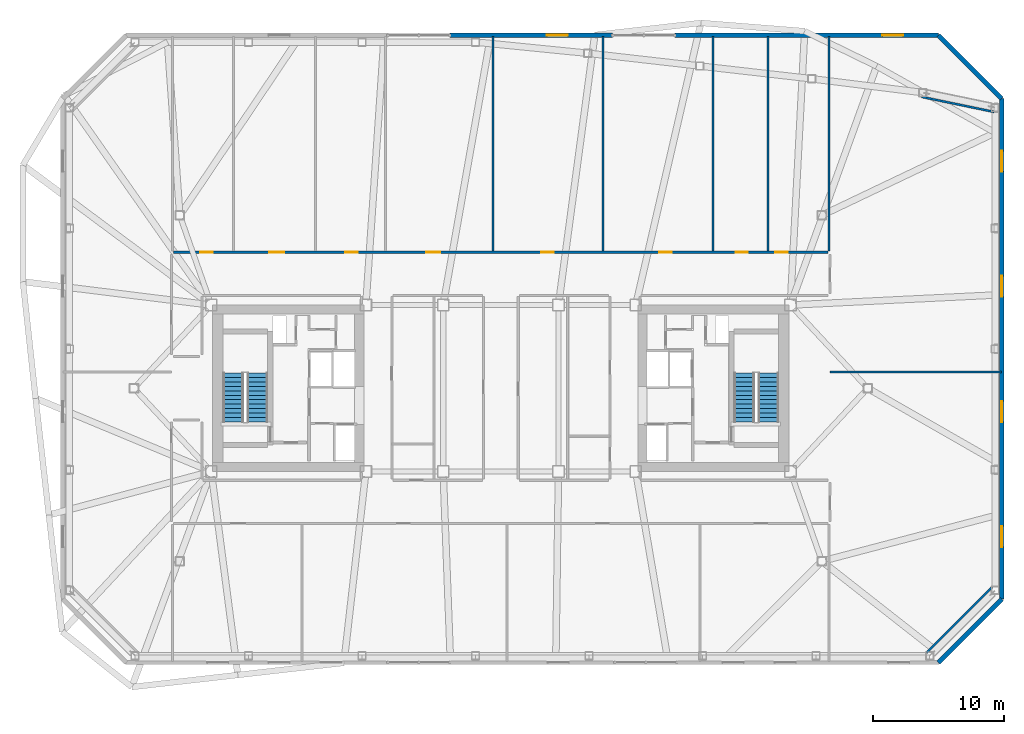
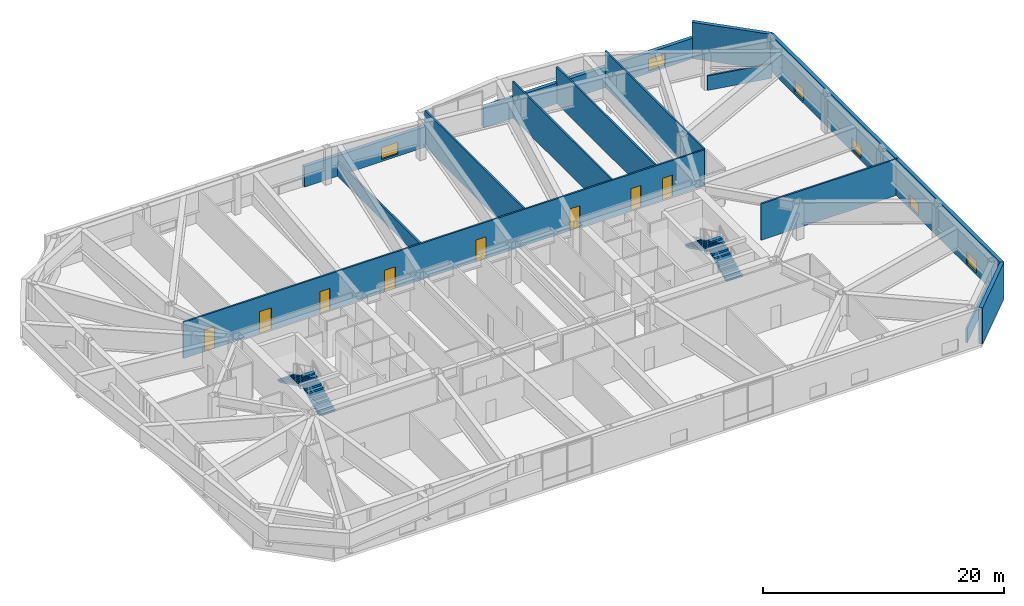
# One storey, part 15 of 19: 14 walls, 8 doors, 6 windows, 4 stair flights, 14 openings, 2 elements without a shape of their own.
"""IFC4 building model written with IfcOpenShell, lengths in metres."""

from ifc_helpers import new_model, si_unit, direction, frame, frame_2d, origin, place, context, subcontext, project, spatial, polyline, rectangle, outline, extrude, material, layer, layer_set, type_object, element, fill, aggregate, save


model = new_model("IFC4")

# Units and contexts
model_context = context("Model", 3, precision=1e-05, world=origin(), true_north=direction((0.0, 1.0)))
body_context = subcontext(model_context, "Body", "Model", "MODEL_VIEW")
ifc_project = project(units=[si_unit("LENGTHUNIT", "METRE"), si_unit("AREAUNIT", "SQUARE_METRE"), si_unit("VOLUMEUNIT", "CUBIC_METRE"), si_unit("PLANEANGLEUNIT", "RADIAN"), si_unit("MASSUNIT", "GRAM", prefix="KILO")], contexts=[model_context])

# Site, building, storey
site_placement = place(None, origin())
site = spatial("IfcSite", under=ifc_project, at=site_placement, CompositionType="ELEMENT")
building_placement = place(site_placement, origin())
building = spatial("IfcBuilding", under=site, at=building_placement, Name="Tavrogorsk Clinical Tower", CompositionType="ELEMENT")
storey_placement = place(building_placement, frame((0.0, 0.0, 204.199951171875)))
storey = spatial("IfcBuildingStorey", under=building, at=storey_placement, Name="L47", CompositionType="ELEMENT", Elevation=204.199951171875)

# Walls
ifc_material_1 = material(Name="Lightweight concrete blockwork B15", Category="masonry")
ifc_layer_1 = layer(ifc_material_1, 0.159912109375)
ifc_layer_set_1 = layer_set([ifc_layer_1], Name="Lightweight concrete blockwork B15")
wall_type_1 = type_object("IfcWallType", Name="PartitionWall_160", PredefinedType="PARTITIONING", material=ifc_layer_set_1)
wall_1_placement = place(storey_placement, frame((32.4794921875, -20.1796875, 0.0), z_axis=(0.0, 0.0, 1.0), x_axis=(0.707106781187, 0.707106781187, 0.0)))
element("IfcWall", 1, at=wall_1_placement, inside=storey, type_object=wall_type_1, Name="L47 Corner Exoskeleton Brace Furring Wall 1", PredefinedType="PARTITIONING", context=body_context, shape_type="SweptSolid", body=[
    extrude(rectangle(XDim=7.071044921875, YDim=0.159912109375, at=frame_2d((3.53564453125, 0.0))), origin(), (0.0, 0.0, 1.0), 1.47509765625),
])
wall_2_placement = place(storey_placement, frame((37.65087890625, 21.0869140625, 0.0), z_axis=(0.0, 0.0, 1.0), x_axis=(-0.979184618318, 0.202971631636, 0.0)))
element("IfcWall", 2, at=wall_2_placement, inside=storey, type_object=wall_type_1, Name="L47 Corner Exoskeleton Brace Furring Wall 2", PredefinedType="PARTITIONING", context=body_context, shape_type="SweptSolid", body=[
    extrude(rectangle(XDim=5.64599609375, YDim=0.159912109375, at=frame_2d((2.822998046875, 0.0))), origin(), (0.0, 0.0, 1.0), 1.47509765625),
])

# Wall, openings, doors
wall_3_placement = place(storey_placement, frame((-24.965087890625, 10.3798828125, 0.0), z_axis=(0.0, 0.0, 1.0), x_axis=(1.0, 0.0, 0.0)))
wall_3 = element("IfcWall", 3, at=wall_3_placement, inside=storey, type_object=wall_type_1, Name="L47 Corridor Partition 11", PredefinedType="PARTITIONING", context=body_context, shape_type="SweptSolid", body=[
    extrude(rectangle(XDim=49.93017578125, YDim=0.159912109375, at=frame_2d((24.965087890625, 0.0))), origin(), (0.0, 0.0, 1.0), 3.679931640625),
])
opening_1_placement = place(wall_3_placement, frame((2.044189453125, 0.0, 0.0)))
opening_1 = element("IfcOpeningElement", 4, at=opening_1_placement, cuts=wall_3, Name="Opening ID-02", PredefinedType="OPENING", context=body_context, shape_type="SweptSolid", body=[
    extrude(rectangle(XDim=0.949951171875, YDim=2.199951171875, at=frame_2d((0.47509765625, 1.10009765625))), frame((0.0, 0.08984375, 0.0), z_axis=(0.0, -1.0, 0.0), x_axis=(1.0, 0.0, 0.0)), (0.0, 0.0, 1.0), 0.179931640625),
])
opening_2_placement = place(wall_3_placement, frame((7.300048828125, 0.0, 0.0)))
opening_2 = element("IfcOpeningElement", 5, at=opening_2_placement, cuts=wall_3, Name="Opening ID-06", PredefinedType="OPENING", context=body_context, shape_type="SweptSolid", body=[
    extrude(rectangle(XDim=1.14990234375, YDim=2.199951171875, at=frame_2d((0.574951171875, 1.10009765625))), frame((0.0, 0.08984375, 0.0), z_axis=(0.0, -1.0, 0.0), x_axis=(1.0, 0.0, 0.0)), (0.0, 0.0, 1.0), 0.179931640625),
])
opening_3_placement = place(wall_3_placement, frame((13.10009765625, 0.0, 0.0)))
opening_3 = element("IfcOpeningElement", 6, at=opening_3_placement, cuts=wall_3, Name="Opening ID-02", PredefinedType="OPENING", context=body_context, shape_type="SweptSolid", body=[
    extrude(rectangle(XDim=0.949951171875, YDim=2.199951171875, at=frame_2d((0.47509765625, 1.10009765625))), frame((0.0, 0.08984375, 0.0), z_axis=(0.0, -1.0, 0.0), x_axis=(1.0, 0.0, 0.0)), (0.0, 0.0, 1.0), 0.179931640625),
])
opening_4_placement = place(wall_3_placement, frame((19.27490234375, 0.0, 0.0)))
opening_4 = element("IfcOpeningElement", 7, at=opening_4_placement, cuts=wall_3, Name="Opening ID-04", PredefinedType="OPENING", context=body_context, shape_type="SweptSolid", body=[
    extrude(rectangle(XDim=1.050048828125, YDim=2.199951171875, at=frame_2d((0.52490234375, 1.10009765625))), frame((0.0, 0.08984375, 0.0), z_axis=(0.0, -1.0, 0.0), x_axis=(1.0, 0.0, 0.0)), (0.0, 0.0, 1.0), 0.179931640625),
])
opening_5_placement = place(wall_3_placement, frame((28.054931640625, 0.0, 0.0)))
opening_5 = element("IfcOpeningElement", 8, at=opening_5_placement, cuts=wall_3, Name="Opening ID-02", PredefinedType="OPENING", context=body_context, shape_type="SweptSolid", body=[
    extrude(rectangle(XDim=0.949951171875, YDim=2.199951171875, at=frame_2d((0.47509765625, 1.10009765625))), frame((0.0, 0.08984375, 0.0), z_axis=(0.0, -1.0, 0.0), x_axis=(1.0, 0.0, 0.0)), (0.0, 0.0, 1.0), 0.179931640625),
])
opening_6_placement = place(wall_3_placement, frame((37.054931640625, 0.0, 0.0)))
opening_6 = element("IfcOpeningElement", 9, at=opening_6_placement, cuts=wall_3, Name="Opening ID-02", PredefinedType="OPENING", context=body_context, shape_type="SweptSolid", body=[
    extrude(rectangle(XDim=0.949951171875, YDim=2.199951171875, at=frame_2d((0.47509765625, 1.10009765625))), frame((0.0, 0.08984375, 0.0), z_axis=(0.0, -1.0, 0.0), x_axis=(1.0, 0.0, 0.0)), (0.0, 0.0, 1.0), 0.179931640625),
])
opening_7_placement = place(wall_3_placement, frame((42.875, 0.0, 0.0)))
opening_7 = element("IfcOpeningElement", 10, at=opening_7_placement, cuts=wall_3, Name="Opening ID-02", PredefinedType="OPENING", context=body_context, shape_type="SweptSolid", body=[
    extrude(rectangle(XDim=0.949951171875, YDim=2.199951171875, at=frame_2d((0.47509765625, 1.10009765625))), frame((0.0, 0.08984375, 0.0), z_axis=(0.0, -1.0, 0.0), x_axis=(1.0, 0.0, 0.0)), (0.0, 0.0, 1.0), 0.179931640625),
])
opening_8_placement = place(wall_3_placement, frame((45.906005859375, 0.0, 0.0)))
opening_8 = element("IfcOpeningElement", 11, at=opening_8_placement, cuts=wall_3, Name="Opening ID-02", PredefinedType="OPENING", context=body_context, shape_type="SweptSolid", body=[
    extrude(rectangle(XDim=0.949951171875, YDim=2.199951171875, at=frame_2d((0.47509765625, 1.10009765625))), frame((0.0, 0.08984375, 0.0), z_axis=(0.0, -1.0, 0.0), x_axis=(1.0, 0.0, 0.0)), (0.0, 0.0, 1.0), 0.179931640625),
])
ifc_material_2 = material(Name="Antibacterial HPL consultation door on aluminium frame", Category="aluminium")
door_type_1 = type_object("IfcDoorType", Name="ConsultDoor_ID04_1050", OperationType="NOTDEFINED", PredefinedType="DOOR", material=ifc_material_2)
door_1_placement = place(opening_4_placement, origin())
door_1 = element("IfcDoor", 12, at=door_1_placement, inside=storey, type_object=door_type_1, Name="L47 North Simulation Manikin Storage Room 03 Door", OperationType="SINGLE_SWING_RIGHT", OverallHeight=2.199951171875, OverallWidth=1.050048828125, PredefinedType="DOOR", context=body_context, shape_type="SweptSolid", body=[
    extrude(rectangle(XDim=1.050048828125, YDim=2.199951171875, at=frame_2d((0.52490234375, 1.10009765625))), frame((0.0, 0.02490234375, 0.0), z_axis=(0.0, -1.0, 0.0), x_axis=(1.0, 0.0, 0.0)), (0.0, 0.0, 1.0), 0.050048828125),
])
fill(opening_4, door_1)
ifc_material_3 = material(Name="Laminated timber leaf on aluminium frame", Category="wood")
door_type_2 = type_object("IfcDoorType", Name="InteriorDoor_ID02_950", OperationType="NOTDEFINED", PredefinedType="DOOR", material=ifc_material_3)
door_2_placement = place(opening_1_placement, origin())
door_2 = element("IfcDoor", 13, at=door_2_placement, inside=storey, type_object=door_type_2, Name="L47 North Academic Simulation & Skills Lab 01 Door", OperationType="SINGLE_SWING_LEFT", OverallHeight=2.199951171875, OverallWidth=0.949951171875, PredefinedType="DOOR", context=body_context, shape_type="SweptSolid", body=[
    extrude(rectangle(XDim=0.949951171875, YDim=2.199951171875, at=frame_2d((0.47509765625, 1.10009765625))), frame((0.0, 0.02490234375, 0.0), z_axis=(0.0, -1.0, 0.0), x_axis=(1.0, 0.0, 0.0)), (0.0, 0.0, 1.0), 0.050048828125),
])
fill(opening_1, door_2)
door_3_placement = place(opening_3_placement, origin())
door_3 = element("IfcDoor", 14, at=door_3_placement, inside=storey, type_object=door_type_2, Name="L47 North Academic Simulation & Skills Lab 02B Door", OperationType="SINGLE_SWING_LEFT", OverallHeight=2.199951171875, OverallWidth=0.949951171875, PredefinedType="DOOR", context=body_context, shape_type="SweptSolid", body=[
    extrude(rectangle(XDim=0.949951171875, YDim=2.199951171875, at=frame_2d((0.47509765625, 1.10009765625))), frame((0.0, 0.02490234375, 0.0), z_axis=(0.0, -1.0, 0.0), x_axis=(1.0, 0.0, 0.0)), (0.0, 0.0, 1.0), 0.050048828125),
])
fill(opening_3, door_3)
door_4_placement = place(opening_5_placement, origin())
door_4 = element("IfcDoor", 15, at=door_4_placement, inside=storey, type_object=door_type_2, Name="L47 North Clinical Informatics Research Office 04 Door", OperationType="SINGLE_SWING_LEFT", OverallHeight=2.199951171875, OverallWidth=0.949951171875, PredefinedType="DOOR", context=body_context, shape_type="SweptSolid", body=[
    extrude(rectangle(XDim=0.949951171875, YDim=2.199951171875, at=frame_2d((0.47509765625, 1.10009765625))), frame((0.0, 0.02490234375, 0.0), z_axis=(0.0, -1.0, 0.0), x_axis=(1.0, 0.0, 0.0)), (0.0, 0.0, 1.0), 0.050048828125),
])
fill(opening_5, door_4)
door_5_placement = place(opening_6_placement, origin())
door_5 = element("IfcDoor", 16, at=door_5_placement, inside=storey, type_object=door_type_2, Name="L47 North Academic Simulation & Skills Lab 05 Door", OperationType="SINGLE_SWING_RIGHT", OverallHeight=2.199951171875, OverallWidth=0.949951171875, PredefinedType="DOOR", context=body_context, shape_type="SweptSolid", body=[
    extrude(rectangle(XDim=0.949951171875, YDim=2.199951171875, at=frame_2d((0.47509765625, 1.10009765625))), frame((0.0, 0.02490234375, 0.0), z_axis=(0.0, -1.0, 0.0), x_axis=(1.0, 0.0, 0.0)), (0.0, 0.0, 1.0), 0.050048828125),
])
fill(opening_6, door_5)
door_6_placement = place(opening_7_placement, origin())
door_6 = element("IfcDoor", 17, at=door_6_placement, inside=storey, type_object=door_type_2, Name="L47 North Medical Library Reading Lounge 06 Door", OperationType="SINGLE_SWING_LEFT", OverallHeight=2.199951171875, OverallWidth=0.949951171875, PredefinedType="DOOR", context=body_context, shape_type="SweptSolid", body=[
    extrude(rectangle(XDim=0.949951171875, YDim=2.199951171875, at=frame_2d((0.47509765625, 1.10009765625))), frame((0.0, 0.02490234375, 0.0), z_axis=(0.0, -1.0, 0.0), x_axis=(1.0, 0.0, 0.0)), (0.0, 0.0, 1.0), 0.050048828125),
])
fill(opening_7, door_6)
door_7_placement = place(opening_8_placement, origin())
door_7 = element("IfcDoor", 18, at=door_7_placement, inside=storey, type_object=door_type_2, Name="L47 North Simulation Manikin Storage Room 07 Door", OperationType="SINGLE_SWING_RIGHT", OverallHeight=2.199951171875, OverallWidth=0.949951171875, PredefinedType="DOOR", context=body_context, shape_type="SweptSolid", body=[
    extrude(rectangle(XDim=0.949951171875, YDim=2.199951171875, at=frame_2d((0.47509765625, 1.10009765625))), frame((0.0, 0.02490234375, 0.0), z_axis=(0.0, -1.0, 0.0), x_axis=(1.0, 0.0, 0.0)), (0.0, 0.0, 1.0), 0.050048828125),
])
fill(opening_8, door_7)
ifc_material_4 = material(Name="Antibacterial HPL procedure door on aluminium frame", Category="aluminium")
door_type_3 = type_object("IfcDoorType", Name="LabDoor_ID06_1150", OperationType="NOTDEFINED", PredefinedType="DOOR", material=ifc_material_4)
door_8_placement = place(opening_2_placement, origin())
door_8 = element("IfcDoor", 19, at=door_8_placement, inside=storey, type_object=door_type_3, Name="L47 North Medical Library Reading Lounge 02A Door", OperationType="SINGLE_SWING_RIGHT", OverallHeight=2.199951171875, OverallWidth=1.14990234375, PredefinedType="DOOR", context=body_context, shape_type="SweptSolid", body=[
    extrude(rectangle(XDim=1.14990234375, YDim=2.199951171875, at=frame_2d((0.574951171875, 1.10009765625))), frame((0.0, 0.02490234375, 0.0), z_axis=(0.0, -1.0, 0.0), x_axis=(1.0, 0.0, 0.0)), (0.0, 0.0, 1.0), 0.050048828125),
])
fill(opening_2, door_8)

# Walls
wall_4_placement = place(storey_placement, frame((25.050048828125, 10.465087890625, 0.0), z_axis=(0.0, 0.0, 1.0), x_axis=(0.0, 1.0, 0.0)))
element("IfcWall", 20, at=wall_4_placement, inside=storey, type_object=wall_type_1, Name="L47 NE Wing Closure Partition", PredefinedType="PARTITIONING", context=body_context, shape_type="SweptSolid", body=[
    extrude(rectangle(XDim=16.39501953125, YDim=0.159912109375, at=frame_2d((8.197509765625, 0.0))), origin(), (0.0, 0.0, 1.0), 3.679931640625),
])
wall_5_placement = place(storey_placement, frame((-0.60009765625, 10.465087890625, 0.0), z_axis=(0.0, 0.0, 1.0), x_axis=(0.0, 1.0, 0.0)))
element("IfcWall", 21, at=wall_5_placement, inside=storey, type_object=wall_type_1, Name="L47 North Room Partition 3", PredefinedType="PARTITIONING", context=body_context, shape_type="SweptSolid", body=[
    extrude(rectangle(XDim=16.39501953125, YDim=0.159912109375, at=frame_2d((8.197509765625, 0.0))), origin(), (0.0, 0.0, 1.0), 1.47509765625),
])
for number, where, z_axis, x_axis, name in (
    (22, (7.800048828125, 10.465087890625, 0.0), (0.0, 0.0, 1.0), (0.0, 1.0, 0.0), "L47 North Room Partition 4"),
    (23, (16.199951171875, 10.465087890625, 0.0), (0.0, 0.0, 1.0), (0.0, 1.0, 0.0), "L47 North Room Partition 5"),
    (24, (20.39990234375, 10.465087890625, 0.0), (0.0, 0.0, 1.0), (0.0, 1.0, 0.0), "L47 North Room Partition 6"),
):
    element("IfcWall", number, at=place(storey_placement, frame(where, z_axis=z_axis, x_axis=x_axis)), inside=storey, type_object=wall_type_1, Name=name, PredefinedType="PARTITIONING", context=body_context, shape_type="SweptSolid", body=[
        extrude(rectangle(XDim=16.39501953125, YDim=0.159912109375, at=frame_2d((8.197509765625, 0.0))), origin(), (0.0, 0.0, 1.0), 3.679931640625),
    ])
wall_6_placement = place(storey_placement, frame((25.1298828125, 1.25, 0.0), z_axis=(0.0, 0.0, 1.0), x_axis=(1.0, 0.0, 0.0)))
element("IfcWall", 25, at=wall_6_placement, inside=storey, type_object=wall_type_1, Name="L47 E Wing Divider 1", PredefinedType="PARTITIONING", context=body_context, shape_type="SweptSolid", body=[
    extrude(rectangle(XDim=13.080078125, YDim=0.159912109375, at=frame_2d((6.5400390625, 0.0))), origin(), (0.0, 0.0, 1.0), 3.679931640625),
])

# Wall, opening, window
ifc_material_5 = material(Name="Precast concrete B45 with limestone cladding", Category="masonry")
ifc_layer_2 = layer(ifc_material_5, 0.340087890625)
ifc_layer_set_2 = layer_set([ifc_layer_2], Name="Precast concrete B45 with limestone cladding")
wall_type_2 = type_object("IfcWallType", Name="PrecastLimestoneWall_340", PredefinedType="STANDARD", material=ifc_layer_set_2)
wall_7_placement = place(storey_placement, frame((33.39990234375, 26.929931640625, 0.0), z_axis=(0.0, 0.0, 1.0), x_axis=(-1.0, 0.0, 0.0)))
wall_7 = element("IfcWall", 26, at=wall_7_placement, inside=storey, type_object=wall_type_2, Name="L47 N Limestone Facade Wall 1", PredefinedType="STANDARD", context=body_context, shape_type="SweptSolid", body=[
    extrude(rectangle(XDim=20.08984375, YDim=0.340087890625, at=frame_2d((10.044921875, 0.0))), origin(), (0.0, 0.0, 1.0), 2.074951171875),
])
opening_9_placement = place(wall_7_placement, frame((2.691162109375, 0.0, 0.219970703125)))
opening_9 = element("IfcOpeningElement", 27, at=opening_9_placement, cuts=wall_7, Name="Opening WN-09", PredefinedType="OPENING", context=body_context, shape_type="SweptSolid", body=[
    extrude(rectangle(XDim=1.60009765625, YDim=1.199951171875, at=frame_2d((0.800048828125, 0.60009765625))), frame((0.0, 0.179931640625, 0.0), z_axis=(0.0, -1.0, 0.0), x_axis=(1.0, 0.0, 0.0)), (0.0, 0.0, 1.0), 0.360107421875),
])
ifc_material_6 = material(Name="Thermally broken aluminium frame and triple IGU", Category="aluminium")
window_type = type_object("IfcWindowType", Name="LowHeadTransWin_1600x1200", PartitioningType="DOUBLE_PANEL_VERTICAL", PredefinedType="WINDOW", material=ifc_material_6)
window_1_placement = place(opening_9_placement, origin())
window_1 = element("IfcWindow", 28, at=window_1_placement, inside=storey, type_object=window_type, Name="L47 N Chicago Window 10", OverallHeight=1.199951171875, OverallWidth=1.60009765625, PartitioningType="SINGLE_PANEL", PredefinedType="WINDOW", context=body_context, shape_type="SweptSolid", body=[
    extrude(rectangle(XDim=1.60009765625, YDim=1.199951171875, at=frame_2d((0.800048828125, 0.60009765625))), frame((0.0, 0.030029296875, 0.0), z_axis=(0.0, -1.0, 0.0), x_axis=(1.0, 0.0, 0.0)), (0.0, 0.0, 1.0), 0.06005859375),
])
fill(opening_9, window_1)

wall_8_placement = place(storey_placement, frame((8.510009765625, 26.929931640625, 0.0), z_axis=(0.0, 0.0, 1.0), x_axis=(-1.0, 0.0, 0.0)))
wall_8 = element("IfcWall", 29, at=wall_8_placement, inside=storey, type_object=wall_type_2, Name="L47 N Limestone Facade Wall 2", PredefinedType="STANDARD", context=body_context, shape_type="SweptSolid", body=[
    extrude(rectangle(XDim=12.372802734375, YDim=0.340087890625, at=frame_2d((6.1865234375, 0.0))), origin(), (0.0, 0.0, 1.0), 2.074951171875),
])
opening_10_placement = place(wall_8_placement, frame((3.388671875, 0.0, 0.219970703125)))
opening_10 = element("IfcOpeningElement", 30, at=opening_10_placement, cuts=wall_8, Name="Opening WN-09", PredefinedType="OPENING", context=body_context, shape_type="SweptSolid", body=[
    extrude(rectangle(XDim=1.60009765625, YDim=1.199951171875, at=frame_2d((0.800048828125, 0.60009765625))), frame((0.0, 0.179931640625, 0.0), z_axis=(0.0, -1.0, 0.0), x_axis=(1.0, 0.0, 0.0)), (0.0, 0.0, 1.0), 0.360107421875),
])
window_2_placement = place(opening_10_placement, origin())
window_2 = element("IfcWindow", 31, at=window_2_placement, inside=storey, type_object=window_type, Name="L47 N Chicago Window 06", OverallHeight=1.199951171875, OverallWidth=1.60009765625, PartitioningType="SINGLE_PANEL", PredefinedType="WINDOW", context=body_context, shape_type="SweptSolid", body=[
    extrude(rectangle(XDim=1.60009765625, YDim=1.199951171875, at=frame_2d((0.800048828125, 0.60009765625))), frame((0.0, 0.030029296875, 0.0), z_axis=(0.0, -1.0, 0.0), x_axis=(1.0, 0.0, 0.0)), (0.0, 0.0, 1.0), 0.06005859375),
])
fill(opening_10, window_2)

# Wall, openings, windows
wall_9_placement = place(storey_placement, frame((38.22998046875, -16.10009765625, 0.0), z_axis=(0.0, 0.0, 1.0), x_axis=(0.0, 1.0, 0.0)))
wall_9 = element("IfcWall", 32, at=wall_9_placement, inside=storey, type_object=wall_type_2, Name="L47 E Pleated Limestone Wing Wall", PredefinedType="STANDARD", context=body_context, shape_type="SweptSolid", body=[
    extrude(rectangle(XDim=38.2001953125, YDim=0.340087890625, at=frame_2d((19.10009765625, 0.0))), origin(), (0.0, 0.0, 1.0), 3.679931640625),
])
opening_11_placement = place(wall_9_placement, frame((3.97509765625, 0.0, 0.219970703125)))
opening_11 = element("IfcOpeningElement", 33, at=opening_11_placement, cuts=wall_9, Name="Opening WN-09", PredefinedType="OPENING", context=body_context, shape_type="SweptSolid", body=[
    extrude(rectangle(XDim=1.60009765625, YDim=1.199951171875, at=frame_2d((0.800048828125, 0.60009765625))), frame((0.0, 0.179931640625, 0.0), z_axis=(0.0, -1.0, 0.0), x_axis=(1.0, 0.0, 0.0)), (0.0, 0.0, 1.0), 0.360107421875),
])
opening_12_placement = place(wall_9_placement, frame((13.52490234375, 0.0, 0.219970703125)))
opening_12 = element("IfcOpeningElement", 34, at=opening_12_placement, cuts=wall_9, Name="Opening WN-09", PredefinedType="OPENING", context=body_context, shape_type="SweptSolid", body=[
    extrude(rectangle(XDim=1.60009765625, YDim=1.199951171875, at=frame_2d((0.800048828125, 0.60009765625))), frame((0.0, 0.179931640625, 0.0), z_axis=(0.0, -1.0, 0.0), x_axis=(1.0, 0.0, 0.0)), (0.0, 0.0, 1.0), 0.360107421875),
])
opening_13_placement = place(wall_9_placement, frame((23.074951171875, 0.0, 0.219970703125)))
opening_13 = element("IfcOpeningElement", 35, at=opening_13_placement, cuts=wall_9, Name="Opening WN-09", PredefinedType="OPENING", context=body_context, shape_type="SweptSolid", body=[
    extrude(rectangle(XDim=1.60009765625, YDim=1.199951171875, at=frame_2d((0.800048828125, 0.60009765625))), frame((0.0, 0.179931640625, 0.0), z_axis=(0.0, -1.0, 0.0), x_axis=(1.0, 0.0, 0.0)), (0.0, 0.0, 1.0), 0.360107421875),
])
opening_14_placement = place(wall_9_placement, frame((32.625, 0.0, 0.219970703125)))
opening_14 = element("IfcOpeningElement", 36, at=opening_14_placement, cuts=wall_9, Name="Opening WN-09", PredefinedType="OPENING", context=body_context, shape_type="SweptSolid", body=[
    extrude(rectangle(XDim=1.60009765625, YDim=1.199951171875, at=frame_2d((0.800048828125, 0.60009765625))), frame((0.0, 0.179931640625, 0.0), z_axis=(0.0, -1.0, 0.0), x_axis=(1.0, 0.0, 0.0)), (0.0, 0.0, 1.0), 0.360107421875),
])
window_3_placement = place(opening_11_placement, origin())
window_3 = element("IfcWindow", 37, at=window_3_placement, inside=storey, type_object=window_type, Name="L47 E Pleat Slot Window 1", OverallHeight=1.199951171875, OverallWidth=1.60009765625, PartitioningType="SINGLE_PANEL", PredefinedType="WINDOW", context=body_context, shape_type="SweptSolid", body=[
    extrude(rectangle(XDim=1.60009765625, YDim=1.199951171875, at=frame_2d((0.800048828125, 0.60009765625))), frame((0.0, 0.030029296875, 0.0), z_axis=(0.0, -1.0, 0.0), x_axis=(1.0, 0.0, 0.0)), (0.0, 0.0, 1.0), 0.06005859375),
])
fill(opening_11, window_3)
window_4_placement = place(opening_12_placement, origin())
window_4 = element("IfcWindow", 38, at=window_4_placement, inside=storey, type_object=window_type, Name="L47 E Pleat Slot Window 2", OverallHeight=1.199951171875, OverallWidth=1.60009765625, PartitioningType="SINGLE_PANEL", PredefinedType="WINDOW", context=body_context, shape_type="SweptSolid", body=[
    extrude(rectangle(XDim=1.60009765625, YDim=1.199951171875, at=frame_2d((0.800048828125, 0.60009765625))), frame((0.0, 0.030029296875, 0.0), z_axis=(0.0, -1.0, 0.0), x_axis=(1.0, 0.0, 0.0)), (0.0, 0.0, 1.0), 0.06005859375),
])
fill(opening_12, window_4)
window_5_placement = place(opening_13_placement, origin())
window_5 = element("IfcWindow", 39, at=window_5_placement, inside=storey, type_object=window_type, Name="L47 E Pleat Slot Window 3", OverallHeight=1.199951171875, OverallWidth=1.60009765625, PartitioningType="SINGLE_PANEL", PredefinedType="WINDOW", context=body_context, shape_type="SweptSolid", body=[
    extrude(rectangle(XDim=1.60009765625, YDim=1.199951171875, at=frame_2d((0.800048828125, 0.60009765625))), frame((0.0, 0.030029296875, 0.0), z_axis=(0.0, -1.0, 0.0), x_axis=(1.0, 0.0, 0.0)), (0.0, 0.0, 1.0), 0.06005859375),
])
fill(opening_13, window_5)
window_6_placement = place(opening_14_placement, origin())
window_6 = element("IfcWindow", 40, at=window_6_placement, inside=storey, type_object=window_type, Name="L47 E Pleat Slot Window 4", OverallHeight=1.199951171875, OverallWidth=1.60009765625, PartitioningType="SINGLE_PANEL", PredefinedType="WINDOW", context=body_context, shape_type="SweptSolid", body=[
    extrude(rectangle(XDim=1.60009765625, YDim=1.199951171875, at=frame_2d((0.800048828125, 0.60009765625))), frame((0.0, 0.030029296875, 0.0), z_axis=(0.0, -1.0, 0.0), x_axis=(1.0, 0.0, 0.0)), (0.0, 0.0, 1.0), 0.06005859375),
])
fill(opening_14, window_6)

# Walls
for number, where, z_axis, x_axis, name in (
    (41, (33.39990234375, -20.929931640625, 0.0), (0.0, 0.0, 1.0), (0.707124652085, 0.707088909836, 0.0), "L47 Chamfered Corner Wall 1"),
    (42, (38.22998046875, 22.10009765625, 0.0), (0.0, 0.0, 1.0), (-0.707124652085, 0.707088909836, 0.0), "L47 Chamfered Corner Wall 2"),
):
    element("IfcWall", number, at=place(storey_placement, frame(where, z_axis=z_axis, x_axis=x_axis)), inside=storey, type_object=wall_type_2, Name=name, PredefinedType="STANDARD", context=body_context, shape_type="SweptSolid", body=[
        extrude(rectangle(XDim=6.83056640625, YDim=0.340087890625, at=frame_2d((3.415283203125, 0.0))), origin(), (0.0, 0.0, 1.0), 3.679931640625),
    ])

# Stair, stair flights
ifc_material_7 = material(Name="Concrete B60", Category="concrete")
stair_type = type_object("IfcStairType", Name="CoreStairAssembly", PredefinedType="HALF_TURN_STAIR", material=ifc_material_7)
stair_1_placement = place(storey_placement, origin())
stair_1 = element("IfcStair", 43, at=stair_1_placement, inside=storey, type_object=stair_type, Name="L47 ST-W", PredefinedType="HALF_TURN_STAIR")
ifc_material_8 = material(Name="Concrete B60", Category="concrete")
stair_flight_type = type_object("IfcStairFlightType", Name="CoreStairFlight", PredefinedType="STRAIGHT", material=ifc_material_8)
stair_flight_1_placement = place(storey_placement, frame((-18.574951171875, -2.574951171875, 0.0), z_axis=(0.0, 0.0, 1.0), x_axis=(0.0, 1.0, 0.0)))
stair_flight_1 = element("IfcStairFlight", 44, at=stair_flight_1_placement, type_object=stair_flight_type, Name="ST-W flight 1", NumberOfRisers=12, NumberOfTreads=11, PredefinedType="STRAIGHT", RiserHeight=0.166666667, TreadLength=0.34, context=body_context, shape_type="SweptSolid", body=[
    extrude(outline(polyline([(0.0, 0.0), (0.0, 0.166748046875), (0.340087890625, 0.166748046875), (0.340087890625, 0.333251953125), (0.679931640625, 0.333251953125), (0.679931640625, 0.5), (1.02001953125, 0.5), (1.02001953125, 0.666748046875), (1.360107421875, 0.666748046875), (1.360107421875, 0.833251953125), (1.699951171875, 0.833251953125), (1.699951171875, 1.0), (2.0400390625, 1.0), (2.0400390625, 1.166748046875), (2.3798828125, 1.166748046875), (2.3798828125, 1.333251953125), (2.719970703125, 1.333251953125), (2.719970703125, 1.5), (3.06005859375, 1.5), (3.06005859375, 1.666748046875), (3.39990234375, 1.666748046875), (3.39990234375, 1.833251953125), (3.739990234375, 1.833251953125), (3.739990234375, 2.0), (3.739990234375, 1.66650390625), (0.340576171875, 0.0), (0.0, 0.0)])), frame((0.0, 0.77490234375, 0.0), z_axis=(0.0, -1.0, 0.0), x_axis=(1.0, 0.0, 0.0)), (0.0, 0.0, 1.0), 1.550048828125),
])
stair_flight_2_placement = place(storey_placement, frame((-20.425048828125, 1.1650390625, 2.0), z_axis=(0.0, 0.0, 1.0), x_axis=(0.0, -1.0, 0.0)))
stair_flight_2 = element("IfcStairFlight", 45, at=stair_flight_2_placement, type_object=stair_flight_type, Name="ST-W flight 2", NumberOfRisers=12, NumberOfTreads=11, PredefinedType="STRAIGHT", RiserHeight=0.166666667, TreadLength=0.34, context=body_context, shape_type="SweptSolid", body=[
    extrude(outline(polyline([(0.0, 0.0), (0.0, 0.166748046875), (0.340087890625, 0.166748046875), (0.340087890625, 0.333251953125), (0.679931640625, 0.333251953125), (0.679931640625, 0.5), (1.02001953125, 0.5), (1.02001953125, 0.666748046875), (1.360107421875, 0.666748046875), (1.360107421875, 0.833251953125), (1.699951171875, 0.833251953125), (1.699951171875, 1.0), (2.0400390625, 1.0), (2.0400390625, 1.166748046875), (2.3798828125, 1.166748046875), (2.3798828125, 1.333251953125), (2.719970703125, 1.333251953125), (2.719970703125, 1.5), (3.06005859375, 1.5), (3.06005859375, 1.666748046875), (3.39990234375, 1.666748046875), (3.39990234375, 1.833251953125), (3.739990234375, 1.833251953125), (3.739990234375, 2.0), (3.739990234375, 1.66650390625), (0.340576171875, 0.0), (0.0, 0.0)])), frame((0.0, 0.77490234375, 0.0), z_axis=(0.0, -1.0, 0.0), x_axis=(1.0, 0.0, 0.0)), (0.0, 0.0, 1.0), 1.550048828125),
])
aggregate(stair_1, [stair_flight_1, stair_flight_2])

stair_2_placement = place(storey_placement, origin())
stair_2 = element("IfcStair", 46, at=stair_2_placement, inside=storey, type_object=stair_type, Name="L47 ST-E", PredefinedType="HALF_TURN_STAIR")
stair_flight_3_placement = place(storey_placement, frame((20.425048828125, -2.574951171875, 0.0), z_axis=(0.0, 0.0, 1.0), x_axis=(0.0, 1.0, 0.0)))
stair_flight_3 = element("IfcStairFlight", 47, at=stair_flight_3_placement, type_object=stair_flight_type, Name="ST-E flight 1", NumberOfRisers=12, NumberOfTreads=11, PredefinedType="STRAIGHT", RiserHeight=0.166666667, TreadLength=0.34, context=body_context, shape_type="SweptSolid", body=[
    extrude(outline(polyline([(0.0, 0.0), (0.0, 0.166748046875), (0.340087890625, 0.166748046875), (0.340087890625, 0.333251953125), (0.679931640625, 0.333251953125), (0.679931640625, 0.5), (1.02001953125, 0.5), (1.02001953125, 0.666748046875), (1.360107421875, 0.666748046875), (1.360107421875, 0.833251953125), (1.699951171875, 0.833251953125), (1.699951171875, 1.0), (2.0400390625, 1.0), (2.0400390625, 1.166748046875), (2.3798828125, 1.166748046875), (2.3798828125, 1.333251953125), (2.719970703125, 1.333251953125), (2.719970703125, 1.5), (3.06005859375, 1.5), (3.06005859375, 1.666748046875), (3.39990234375, 1.666748046875), (3.39990234375, 1.833251953125), (3.739990234375, 1.833251953125), (3.739990234375, 2.0), (3.739990234375, 1.66650390625), (0.340576171875, 0.0), (0.0, 0.0)])), frame((0.0, 0.77490234375, 0.0), z_axis=(0.0, -1.0, 0.0), x_axis=(1.0, 0.0, 0.0)), (0.0, 0.0, 1.0), 1.550048828125),
])
stair_flight_4_placement = place(storey_placement, frame((18.574951171875, 1.1650390625, 2.0), z_axis=(0.0, 0.0, 1.0), x_axis=(0.0, -1.0, 0.0)))
stair_flight_4 = element("IfcStairFlight", 48, at=stair_flight_4_placement, type_object=stair_flight_type, Name="ST-E flight 2", NumberOfRisers=12, NumberOfTreads=11, PredefinedType="STRAIGHT", RiserHeight=0.166666667, TreadLength=0.34, context=body_context, shape_type="SweptSolid", body=[
    extrude(outline(polyline([(0.0, 0.0), (0.0, 0.166748046875), (0.340087890625, 0.166748046875), (0.340087890625, 0.333251953125), (0.679931640625, 0.333251953125), (0.679931640625, 0.5), (1.02001953125, 0.5), (1.02001953125, 0.666748046875), (1.360107421875, 0.666748046875), (1.360107421875, 0.833251953125), (1.699951171875, 0.833251953125), (1.699951171875, 1.0), (2.0400390625, 1.0), (2.0400390625, 1.166748046875), (2.3798828125, 1.166748046875), (2.3798828125, 1.333251953125), (2.719970703125, 1.333251953125), (2.719970703125, 1.5), (3.06005859375, 1.5), (3.06005859375, 1.666748046875), (3.39990234375, 1.666748046875), (3.39990234375, 1.833251953125), (3.739990234375, 1.833251953125), (3.739990234375, 2.0), (3.739990234375, 1.66650390625), (0.340576171875, 0.0), (0.0, 0.0)])), frame((0.0, 0.77490234375, 0.0), z_axis=(0.0, -1.0, 0.0), x_axis=(1.0, 0.0, 0.0)), (0.0, 0.0, 1.0), 1.550048828125),
])
aggregate(stair_2, [stair_flight_3, stair_flight_4])

save(model, "model.ifc")
